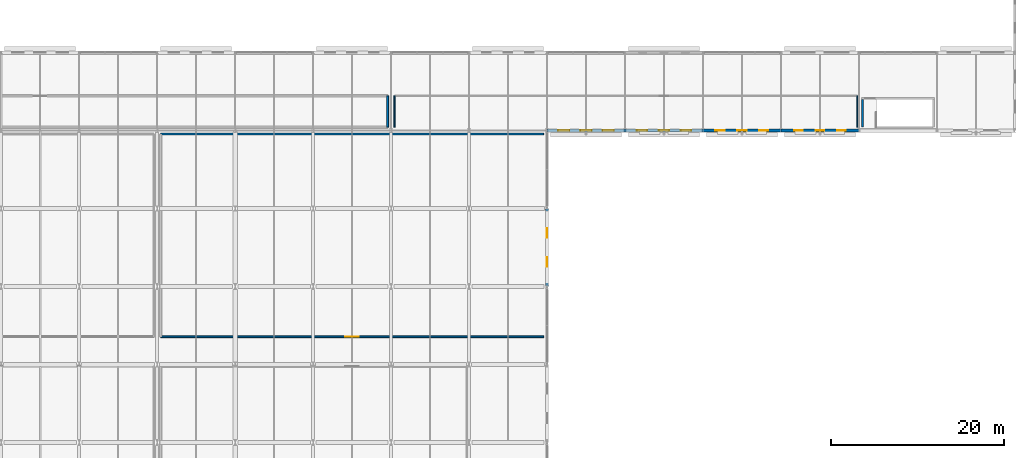
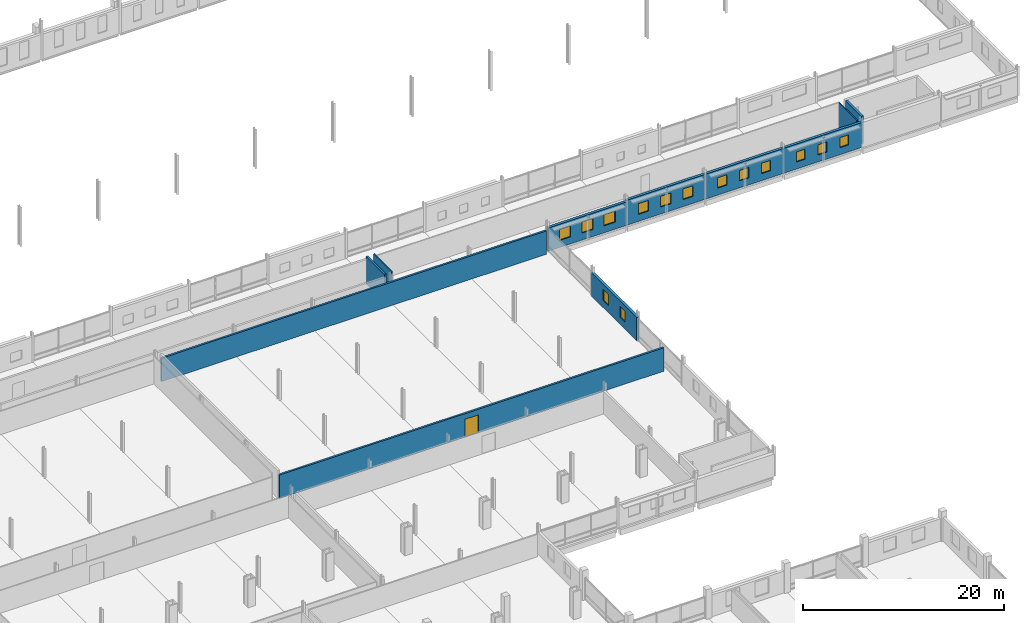
# One storey, part 108 of 132: 14 windows, 11 walls, 1 door, 15 openings.
"""IFC4 building model written with IfcOpenShell, lengths in metres."""

import ifcopenshell
import ifcopenshell.guid

model = None  # the IFC model being written
_history = None  # IfcOwnerHistory: only IFC2X3 demands one
_inside = {}  # id of a spatial element -> (the spatial element, [elements in it])
_under = {}  # id of a project, library or spatial element -> (it, [spatial elements below it])
_declared = {}  # id of a project -> (the project, [libraries it declares])
_typed = {}  # id of a type object -> (the type object, [elements of that type])
_made_of = {}  # id of a material, layer set ... -> (it, [elements and type objects made of it])


def new_model(schema):
    """Start an empty IFC model of exactly this schema.

    Asked for "IFC4X3", IfcOpenShell would pick the latest addendum, in which some entities
    have other attributes; the version numbers below select the first issue.
    IFC2X3 requires an IfcOwnerHistory on every rooted entity: one is made here for all.
    """
    global model, _history
    if schema == "IFC4X3":
        model = ifcopenshell.file(schema_version=(4, 3, 0, 0))
    else:
        model = ifcopenshell.file(schema=schema)
    _inside.clear()
    _under.clear()
    _declared.clear()
    _typed.clear()
    _made_of.clear()
    _history = None
    if model.schema == "IFC2X3":
        org = make("IfcOrganization", Name="unknown")
        user = make(
            "IfcPersonAndOrganization",
            ThePerson=make("IfcPerson", FamilyName="unknown"),
            TheOrganization=org,
        )
        app = make(
            "IfcApplication",
            ApplicationDeveloper=org,
            Version="unknown",
            ApplicationFullName="unknown",
            ApplicationIdentifier="unknown",
        )
        _history = make(
            "IfcOwnerHistory",
            OwningUser=user,
            OwningApplication=app,
            ChangeAction="ADDED",
            CreationDate=0,
        )
    return model


def make(cls, **values):
    """One entity of the class cls with the attributes given. An attribute that is None is left unset."""
    return model.create_entity(
        cls, **{name: value for name, value in values.items() if value is not None}
    )


def rooted(cls, **values):
    """An entity with a GlobalId (a new one), such as an element, a storey or a relation."""
    return make(cls, GlobalId=ifcopenshell.guid.new(), OwnerHistory=_history, **values)


def si_unit(unit_type, name, prefix=None):
    """IfcSIUnit, for example si_unit("LENGTHUNIT", "METRE", prefix="MILLI")."""
    return make("IfcSIUnit", UnitType=unit_type, Prefix=prefix, Name=name)


def assignment(units):
    """IfcUnitAssignment: the units of a project."""
    return None if units is None else make("IfcUnitAssignment", Units=units)


def point(xyz):
    """IfcCartesianPoint."""
    return None if xyz is None else make("IfcCartesianPoint", Coordinates=xyz)


def direction(xyz):
    """IfcDirection."""
    return None if xyz is None else make("IfcDirection", DirectionRatios=xyz)


def frame(location, z_axis=None, x_axis=None):
    """IfcAxis2Placement3D, a coordinate frame: its origin and axes. An axis left out is left unset."""
    return make(
        "IfcAxis2Placement3D",
        Location=point(location),
        Axis=direction(z_axis),
        RefDirection=direction(x_axis),
    )


def frame_2d(location, x_axis=None):
    """IfcAxis2Placement2D, a coordinate frame in the plane: its origin and x axis."""
    return make(
        "IfcAxis2Placement2D", Location=point(location), RefDirection=direction(x_axis)
    )


def origin():
    """The frame at (0, 0, 0) with its axes left unset."""
    return frame((0.0, 0.0, 0.0))


def place(relative_to, where):
    """IfcLocalPlacement: puts the frame where relative to a parent placement (None: the world)."""
    return make(
        "IfcLocalPlacement", PlacementRelTo=relative_to, RelativePlacement=where
    )


def context(
    kind, dimensions, precision=None, world=None, true_north=None, identifier=None
):
    """IfcGeometricRepresentationContext, for example the 3D "Model" context."""
    return make(
        "IfcGeometricRepresentationContext",
        ContextIdentifier=identifier,
        ContextType=kind,
        CoordinateSpaceDimension=dimensions,
        Precision=precision,
        WorldCoordinateSystem=world,
        TrueNorth=true_north,
    )


def subcontext(parent, identifier, kind, view, scale=None):
    """IfcGeometricRepresentationSubContext, for example "Body" below "Model"."""
    return make(
        "IfcGeometricRepresentationSubContext",
        ContextIdentifier=identifier,
        ContextType=kind,
        ParentContext=parent,
        TargetScale=scale,
        TargetView=view,
    )


def project(units=None, contexts=None):
    """IfcProject with its units and contexts."""
    return rooted(
        "IfcProject",
        Name="project",
        RepresentationContexts=contexts,
        UnitsInContext=assignment(units),
    )


def spatial(cls, under=None, at=None, **own):
    """A site, building, storey or space (cls), placed at a placement, below another one or the project."""
    s = rooted(cls, ObjectPlacement=at, **own)
    if under is not None:
        _under.setdefault(under.id(), (under, []))[1].append(s)
    return s


def profile(cls, at=None, kind="AREA", **sizes):
    """A parametric profile (cls). Its sizes go by their IFC names, for example OverallWidth=200.0."""
    return make(cls, ProfileType=kind, Position=at, **sizes)


def rectangle(**sizes):
    """IfcRectangleProfileDef."""
    return profile("IfcRectangleProfileDef", **sizes)


def extrude(swept, where, along, depth):
    """IfcExtrudedAreaSolid: the profile swept, set in the frame where, extruded along a direction by depth."""
    return make(
        "IfcExtrudedAreaSolid",
        SweptArea=swept,
        Position=where,
        ExtrudedDirection=direction(along),
        Depth=depth,
    )


def shape(context_of_items, identifier, shape_type, items):
    """IfcShapeRepresentation: the items that make up one representation, for example the "Body"."""
    return make(
        "IfcShapeRepresentation",
        ContextOfItems=context_of_items,
        RepresentationIdentifier=identifier,
        RepresentationType=shape_type,
        Items=items,
    )


def material(Name=None, Category=None):
    """IfcMaterial."""
    return make("IfcMaterial", Name=Name, Category=Category)


def layer(
    of_material, thickness, ventilated=None, Name=None, Category=None, Priority=None
):
    """IfcMaterialLayer: one layer of a wall or slab, of a material (None: an air gap)."""
    return make(
        "IfcMaterialLayer",
        Material=of_material,
        LayerThickness=thickness,
        IsVentilated=ventilated,
        Name=Name,
        Category=Category,
        Priority=Priority,
    )


def layer_set(layers, Name=None):
    """IfcMaterialLayerSet."""
    return make("IfcMaterialLayerSet", MaterialLayers=layers, LayerSetName=Name)


def made_of(thing, what):
    """Note that an element or type object is made of a material, layer set ...; save() writes the relation."""
    if what is not None:
        _made_of.setdefault(what.id(), (what, []))[1].append(thing)
    return thing


def type_object(cls, material=None, **own):
    """A type object (cls), such as IfcWallType, which elements share."""
    return made_of(rooted(cls, **own), material)


def element(
    cls,
    number,
    at=None,
    inside=None,
    cuts=None,
    type_object=None,
    material=None,
    context=None,
    identifier="Body",
    shape_type=None,
    held_by="IfcProductDefinitionShape",
    body=None,
    shapes=None,
    **own,
):
    """One element of the class cls, such as IfcWall. Its Tag is "e" and its number.

    at: its placement. inside: the storey or other place that contains it. cuts: it is an
    opening in that element (IfcRelVoidsElement). A single representation is given by context,
    identifier, shape_type and body (its items); several are given by shapes. held_by: the class
    of the entity that holds the representations. save() writes the other relations.
    """
    e = rooted(cls, Tag="e%d" % number, ObjectPlacement=at, **own)
    if body is not None:
        shapes = [shape(context, identifier, shape_type, body)]
    if shapes is not None:
        e.Representation = make(held_by, Representations=shapes)
    if inside is not None:
        _inside.setdefault(inside.id(), (inside, []))[1].append(e)
    if cuts is not None:
        rooted(
            "IfcRelVoidsElement", RelatingBuildingElement=cuts, RelatedOpeningElement=e
        )
    if type_object is not None:
        _typed.setdefault(type_object.id(), (type_object, []))[1].append(e)
    return made_of(e, material)


def fill(opening, filler):
    """IfcRelFillsElement: the door or window that sits in an opening."""
    return rooted(
        "IfcRelFillsElement",
        RelatingOpeningElement=opening,
        RelatedBuildingElement=filler,
    )


def aggregate(whole, parts):
    """IfcRelAggregates: a whole, such as a stair, and the parts it consists of."""
    return rooted("IfcRelAggregates", RelatingObject=whole, RelatedObjects=parts)


def save(model, path):
    """Write the relations noted so far, then the file.

    IfcRelAggregates (storeys below a building ...), IfcRelContainedInSpatialStructure (elements
    in a storey), IfcRelDefinesByType, IfcRelAssociatesMaterial and IfcRelDeclares: one each for
    every whole, place, type object, material and project.
    """
    for whole, parts in _under.values():
        aggregate(whole, parts)
    for where, things in _inside.values():
        rooted(
            "IfcRelContainedInSpatialStructure",
            RelatedElements=things,
            RelatingStructure=where,
        )
    for kind, things in _typed.values():
        rooted("IfcRelDefinesByType", RelatedObjects=things, RelatingType=kind)
    for what, things in _made_of.values():
        rooted("IfcRelAssociatesMaterial", RelatedObjects=things, RelatingMaterial=what)
    for by, libraries in _declared.values():
        rooted("IfcRelDeclares", RelatingContext=by, RelatedDefinitions=libraries)
    model.write(path)


model = new_model("IFC4")

# Units and contexts
model_context = context("Model", 3, precision=1e-05, world=origin(), true_north=direction((0.0, 1.0)))
body_context = subcontext(model_context, "Body", "Model", "MODEL_VIEW")
ifc_project = project(units=[si_unit("LENGTHUNIT", "METRE"), si_unit("AREAUNIT", "SQUARE_METRE"), si_unit("VOLUMEUNIT", "CUBIC_METRE"), si_unit("PLANEANGLEUNIT", "RADIAN"), si_unit("MASSUNIT", "GRAM", prefix="KILO")], contexts=[model_context])

# Site, building, storey
site_placement = place(None, origin())
site = spatial("IfcSite", under=ifc_project, at=site_placement, CompositionType="ELEMENT")
building_placement = place(site_placement, origin())
building = spatial("IfcBuilding", under=site, at=building_placement, Name="Tharagai Park Tramway Depot", CompositionType="ELEMENT")
storey_placement = place(building_placement, frame((0.0, 0.0, 4.800048828125)))
storey = spatial("IfcBuildingStorey", under=building, at=storey_placement, Name="L01", CompositionType="ELEMENT", Elevation=4.800048828125)

# Wall, openings, windows
ifc_material_1 = material(Name="Pressed clay brick", Category="masonry")
ifc_layer_1 = layer(ifc_material_1, 0.300048828125)
ifc_layer_set_1 = layer_set([ifc_layer_1], Name="Pressed clay brick")
wall_type_1 = type_object("IfcWallType", Name="EW-08", PredefinedType="SOLIDWALL", material=ifc_layer_set_1)
wall_1_placement = place(storey_placement, frame((90.00390625, 90.0, 0.0), z_axis=(0.0, 0.0, 1.0), x_axis=(1.0, 0.0, 0.0)))
wall_1 = element("IfcWall", 1, at=wall_1_placement, inside=storey, type_object=wall_type_1, Name="L01 V1 Exterior Masonry Wall EW-08", PredefinedType="SOLIDWALL", context=body_context, shape_type="SweptSolid", body=[
    extrude(rectangle(XDim=8.9921875, YDim=0.300048828125, at=frame_2d((4.49609375, 0.0))), origin(), (0.0, 0.0, 1.0), 2.842041015625),
])
opening_1_placement = place(wall_1_placement, frame((1.2880859375, 0.0, 0.85009765625)))
opening_1 = element("IfcOpeningElement", 2, at=opening_1_placement, cuts=wall_1, Name="Opening WN-43", PredefinedType="OPENING", context=body_context, shape_type="SweptSolid", body=[
    extrude(rectangle(XDim=1.280029296875, YDim=1.340087890625, at=frame_2d((0.64013671875, 0.669921875))), frame((0.0, 0.159912109375, 0.0), z_axis=(0.0, -1.0, 0.0), x_axis=(1.0, 0.0, 0.0)), (0.0, 0.0, 1.0), 0.320068359375),
])
opening_2_placement = place(wall_1_placement, frame((3.85595703125, 0.0, 0.85009765625)))
opening_2 = element("IfcOpeningElement", 3, at=opening_2_placement, cuts=wall_1, Name="Opening WN-43", PredefinedType="OPENING", context=body_context, shape_type="SweptSolid", body=[
    extrude(rectangle(XDim=1.280029296875, YDim=1.340087890625, at=frame_2d((0.64013671875, 0.669921875))), frame((0.0, 0.159912109375, 0.0), z_axis=(0.0, -1.0, 0.0), x_axis=(1.0, 0.0, 0.0)), (0.0, 0.0, 1.0), 0.320068359375),
])
opening_3_placement = place(wall_1_placement, frame((6.424072265625, 0.0, 0.85009765625)))
opening_3 = element("IfcOpeningElement", 4, at=opening_3_placement, cuts=wall_1, Name="Opening WN-43", PredefinedType="OPENING", context=body_context, shape_type="SweptSolid", body=[
    extrude(rectangle(XDim=1.280029296875, YDim=1.340087890625, at=frame_2d((0.64013671875, 0.669921875))), frame((0.0, 0.159912109375, 0.0), z_axis=(0.0, -1.0, 0.0), x_axis=(1.0, 0.0, 0.0)), (0.0, 0.0, 1.0), 0.320068359375),
])
ifc_material_2 = material(Name="Laminated solar-control glass", Category="glass")
window_type_1 = type_object("IfcWindowType", Name="WN-43", PartitioningType="SINGLE_PANEL", PredefinedType="WINDOW", material=ifc_material_2)
window_1_placement = place(opening_1_placement, origin())
window_1 = element("IfcWindow", 5, at=window_1_placement, inside=storey, type_object=window_type_1, Name="L01 V1 Gothic Lancet Window WN-43", OverallHeight=1.340087890625, OverallWidth=1.280029296875, PartitioningType="SINGLE_PANEL", PredefinedType="WINDOW", context=body_context, shape_type="SweptSolid", body=[
    extrude(rectangle(XDim=1.280029296875, YDim=1.340087890625, at=frame_2d((0.64013671875, 0.669921875))), frame((0.0, 0.030029296875, 0.0), z_axis=(0.0, -1.0, 0.0), x_axis=(1.0, 0.0, 0.0)), (0.0, 0.0, 1.0), 0.06005859375),
])
fill(opening_1, window_1)
window_2_placement = place(opening_2_placement, origin())
window_2 = element("IfcWindow", 6, at=window_2_placement, inside=storey, type_object=window_type_1, Name="L01 V1 Gothic Lancet Window WN-43", OverallHeight=1.340087890625, OverallWidth=1.280029296875, PartitioningType="SINGLE_PANEL", PredefinedType="WINDOW", context=body_context, shape_type="SweptSolid", body=[
    extrude(rectangle(XDim=1.280029296875, YDim=1.340087890625, at=frame_2d((0.64013671875, 0.669921875))), frame((0.0, 0.030029296875, 0.0), z_axis=(0.0, -1.0, 0.0), x_axis=(1.0, 0.0, 0.0)), (0.0, 0.0, 1.0), 0.06005859375),
])
fill(opening_2, window_2)
window_3_placement = place(opening_3_placement, origin())
window_3 = element("IfcWindow", 7, at=window_3_placement, inside=storey, type_object=window_type_1, Name="L01 V1 Gothic Lancet Window WN-43", OverallHeight=1.340087890625, OverallWidth=1.280029296875, PartitioningType="SINGLE_PANEL", PredefinedType="WINDOW", context=body_context, shape_type="SweptSolid", body=[
    extrude(rectangle(XDim=1.280029296875, YDim=1.340087890625, at=frame_2d((0.64013671875, 0.669921875))), frame((0.0, 0.030029296875, 0.0), z_axis=(0.0, -1.0, 0.0), x_axis=(1.0, 0.0, 0.0)), (0.0, 0.0, 1.0), 0.06005859375),
])
fill(opening_3, window_3)

wall_2_placement = place(storey_placement, frame((99.00390625, 90.0, 0.0), z_axis=(0.0, 0.0, 1.0), x_axis=(1.0, 0.0, 0.0)))
wall_2 = element("IfcWall", 8, at=wall_2_placement, inside=storey, type_object=wall_type_1, Name="L01 V1 Exterior Masonry Wall EW-08", PredefinedType="SOLIDWALL", context=body_context, shape_type="SweptSolid", body=[
    extrude(rectangle(XDim=8.9921875, YDim=0.300048828125, at=frame_2d((4.49609375, 0.0))), origin(), (0.0, 0.0, 1.0), 3.0419921875),
])
opening_4_placement = place(wall_2_placement, frame((1.363037109375, 0.0, 0.85009765625)))
opening_4 = element("IfcOpeningElement", 9, at=opening_4_placement, cuts=wall_2, Name="Opening WN-44", PredefinedType="OPENING", context=body_context, shape_type="SweptSolid", body=[
    extrude(rectangle(XDim=1.179931640625, YDim=1.300048828125, at=frame_2d((0.58984375, 0.64990234375))), frame((0.0, 0.159912109375, 0.0), z_axis=(0.0, -1.0, 0.0), x_axis=(1.0, 0.0, 0.0)), (0.0, 0.0, 1.0), 0.320068359375),
])
opening_5_placement = place(wall_2_placement, frame((3.906005859375, 0.0, 0.85009765625)))
opening_5 = element("IfcOpeningElement", 10, at=opening_5_placement, cuts=wall_2, Name="Opening WN-44", PredefinedType="OPENING", context=body_context, shape_type="SweptSolid", body=[
    extrude(rectangle(XDim=1.179931640625, YDim=1.300048828125, at=frame_2d((0.58984375, 0.64990234375))), frame((0.0, 0.159912109375, 0.0), z_axis=(0.0, -1.0, 0.0), x_axis=(1.0, 0.0, 0.0)), (0.0, 0.0, 1.0), 0.320068359375),
])
opening_6_placement = place(wall_2_placement, frame((6.448974609375, 0.0, 0.85009765625)))
opening_6 = element("IfcOpeningElement", 11, at=opening_6_placement, cuts=wall_2, Name="Opening WN-44", PredefinedType="OPENING", context=body_context, shape_type="SweptSolid", body=[
    extrude(rectangle(XDim=1.179931640625, YDim=1.300048828125, at=frame_2d((0.58984375, 0.64990234375))), frame((0.0, 0.159912109375, 0.0), z_axis=(0.0, -1.0, 0.0), x_axis=(1.0, 0.0, 0.0)), (0.0, 0.0, 1.0), 0.320068359375),
])
window_type_2 = type_object("IfcWindowType", Name="WN-44", PartitioningType="SINGLE_PANEL", PredefinedType="WINDOW", material=ifc_material_2)
window_4_placement = place(opening_4_placement, origin())
window_4 = element("IfcWindow", 12, at=window_4_placement, inside=storey, type_object=window_type_2, Name="L01 V1 Gothic Lancet Window WN-44", OverallHeight=1.300048828125, OverallWidth=1.179931640625, PartitioningType="SINGLE_PANEL", PredefinedType="WINDOW", context=body_context, shape_type="SweptSolid", body=[
    extrude(rectangle(XDim=1.179931640625, YDim=1.300048828125, at=frame_2d((0.58984375, 0.64990234375))), frame((0.0, 0.030029296875, 0.0), z_axis=(0.0, -1.0, 0.0), x_axis=(1.0, 0.0, 0.0)), (0.0, 0.0, 1.0), 0.06005859375),
])
fill(opening_4, window_4)
window_5_placement = place(opening_5_placement, origin())
window_5 = element("IfcWindow", 13, at=window_5_placement, inside=storey, type_object=window_type_2, Name="L01 V1 Gothic Lancet Window WN-44", OverallHeight=1.300048828125, OverallWidth=1.179931640625, PartitioningType="SINGLE_PANEL", PredefinedType="WINDOW", context=body_context, shape_type="SweptSolid", body=[
    extrude(rectangle(XDim=1.179931640625, YDim=1.300048828125, at=frame_2d((0.58984375, 0.64990234375))), frame((0.0, 0.030029296875, 0.0), z_axis=(0.0, -1.0, 0.0), x_axis=(1.0, 0.0, 0.0)), (0.0, 0.0, 1.0), 0.06005859375),
])
fill(opening_5, window_5)
window_6_placement = place(opening_6_placement, origin())
window_6 = element("IfcWindow", 14, at=window_6_placement, inside=storey, type_object=window_type_2, Name="L01 V1 Gothic Lancet Window WN-44", OverallHeight=1.300048828125, OverallWidth=1.179931640625, PartitioningType="SINGLE_PANEL", PredefinedType="WINDOW", context=body_context, shape_type="SweptSolid", body=[
    extrude(rectangle(XDim=1.179931640625, YDim=1.300048828125, at=frame_2d((0.58984375, 0.64990234375))), frame((0.0, 0.030029296875, 0.0), z_axis=(0.0, -1.0, 0.0), x_axis=(1.0, 0.0, 0.0)), (0.0, 0.0, 1.0), 0.06005859375),
])
fill(opening_6, window_6)

wall_3_placement = place(storey_placement, frame((108.00390625, 90.0, 0.0), z_axis=(0.0, 0.0, 1.0), x_axis=(1.0, 0.0, 0.0)))
wall_3 = element("IfcWall", 15, at=wall_3_placement, inside=storey, type_object=wall_type_1, Name="L01 V1 Exterior Masonry Wall EW-08", PredefinedType="SOLIDWALL", context=body_context, shape_type="SweptSolid", body=[
    extrude(rectangle(XDim=8.9921875, YDim=0.300048828125, at=frame_2d((4.49609375, 0.0))), origin(), (0.0, 0.0, 1.0), 3.0419921875),
])
opening_7_placement = place(wall_3_placement, frame((1.43798828125, 0.0, 0.85009765625)))
opening_7 = element("IfcOpeningElement", 16, at=opening_7_placement, cuts=wall_3, Name="Opening WN-48", PredefinedType="OPENING", context=body_context, shape_type="SweptSolid", body=[
    extrude(rectangle(XDim=1.080078125, YDim=1.260009765625, at=frame_2d((0.5400390625, 0.6298828125))), frame((0.0, 0.159912109375, 0.0), z_axis=(0.0, -1.0, 0.0), x_axis=(1.0, 0.0, 0.0)), (0.0, 0.0, 1.0), 0.320068359375),
])
opening_8_placement = place(wall_3_placement, frame((3.9560546875, 0.0, 0.85009765625)))
opening_8 = element("IfcOpeningElement", 17, at=opening_8_placement, cuts=wall_3, Name="Opening WN-48", PredefinedType="OPENING", context=body_context, shape_type="SweptSolid", body=[
    extrude(rectangle(XDim=1.080078125, YDim=1.260009765625, at=frame_2d((0.5400390625, 0.6298828125))), frame((0.0, 0.159912109375, 0.0), z_axis=(0.0, -1.0, 0.0), x_axis=(1.0, 0.0, 0.0)), (0.0, 0.0, 1.0), 0.320068359375),
])
opening_9_placement = place(wall_3_placement, frame((6.47412109375, 0.0, 0.85009765625)))
opening_9 = element("IfcOpeningElement", 18, at=opening_9_placement, cuts=wall_3, Name="Opening WN-48", PredefinedType="OPENING", context=body_context, shape_type="SweptSolid", body=[
    extrude(rectangle(XDim=1.080078125, YDim=1.260009765625, at=frame_2d((0.5400390625, 0.6298828125))), frame((0.0, 0.159912109375, 0.0), z_axis=(0.0, -1.0, 0.0), x_axis=(1.0, 0.0, 0.0)), (0.0, 0.0, 1.0), 0.320068359375),
])
window_type_3 = type_object("IfcWindowType", Name="WN-48", PartitioningType="SINGLE_PANEL", PredefinedType="WINDOW", material=ifc_material_2)
window_7_placement = place(opening_7_placement, origin())
window_7 = element("IfcWindow", 19, at=window_7_placement, inside=storey, type_object=window_type_3, Name="L01 V1 Gothic Lancet Window WN-48", OverallHeight=1.260009765625, OverallWidth=1.080078125, PartitioningType="SINGLE_PANEL", PredefinedType="WINDOW", context=body_context, shape_type="SweptSolid", body=[
    extrude(rectangle(XDim=1.080078125, YDim=1.260009765625, at=frame_2d((0.5400390625, 0.6298828125))), frame((0.0, 0.030029296875, 0.0), z_axis=(0.0, -1.0, 0.0), x_axis=(1.0, 0.0, 0.0)), (0.0, 0.0, 1.0), 0.06005859375),
])
fill(opening_7, window_7)
window_8_placement = place(opening_8_placement, origin())
window_8 = element("IfcWindow", 20, at=window_8_placement, inside=storey, type_object=window_type_3, Name="L01 V1 Gothic Lancet Window WN-48", OverallHeight=1.260009765625, OverallWidth=1.080078125, PartitioningType="SINGLE_PANEL", PredefinedType="WINDOW", context=body_context, shape_type="SweptSolid", body=[
    extrude(rectangle(XDim=1.080078125, YDim=1.260009765625, at=frame_2d((0.5400390625, 0.6298828125))), frame((0.0, 0.030029296875, 0.0), z_axis=(0.0, -1.0, 0.0), x_axis=(1.0, 0.0, 0.0)), (0.0, 0.0, 1.0), 0.06005859375),
])
fill(opening_8, window_8)
window_9_placement = place(opening_9_placement, origin())
window_9 = element("IfcWindow", 21, at=window_9_placement, inside=storey, type_object=window_type_3, Name="L01 V1 Gothic Lancet Window WN-48", OverallHeight=1.260009765625, OverallWidth=1.080078125, PartitioningType="SINGLE_PANEL", PredefinedType="WINDOW", context=body_context, shape_type="SweptSolid", body=[
    extrude(rectangle(XDim=1.080078125, YDim=1.260009765625, at=frame_2d((0.5400390625, 0.6298828125))), frame((0.0, 0.030029296875, 0.0), z_axis=(0.0, -1.0, 0.0), x_axis=(1.0, 0.0, 0.0)), (0.0, 0.0, 1.0), 0.06005859375),
])
fill(opening_9, window_9)

wall_4_placement = place(storey_placement, frame((117.00390625, 90.0, 0.0), z_axis=(0.0, 0.0, 1.0), x_axis=(1.0, 0.0, 0.0)))
wall_4 = element("IfcWall", 22, at=wall_4_placement, inside=storey, type_object=wall_type_1, Name="L01 V1 Exterior Masonry Wall EW-08", PredefinedType="SOLIDWALL", context=body_context, shape_type="SweptSolid", body=[
    extrude(rectangle(XDim=8.9921875, YDim=0.300048828125, at=frame_2d((4.49609375, 0.0))), origin(), (0.0, 0.0, 1.0), 3.0419921875),
])
opening_10_placement = place(wall_4_placement, frame((1.512939453125, 0.0, 0.85009765625)))
opening_10 = element("IfcOpeningElement", 23, at=opening_10_placement, cuts=wall_4, Name="Opening WN-01", PredefinedType="OPENING", context=body_context, shape_type="SweptSolid", body=[
    extrude(rectangle(XDim=0.97998046875, YDim=1.219970703125, at=frame_2d((0.489990234375, 0.60986328125))), frame((0.0, 0.159912109375, 0.0), z_axis=(0.0, -1.0, 0.0), x_axis=(1.0, 0.0, 0.0)), (0.0, 0.0, 1.0), 0.320068359375),
])
opening_11_placement = place(wall_4_placement, frame((4.006103515625, 0.0, 0.85009765625)))
opening_11 = element("IfcOpeningElement", 24, at=opening_11_placement, cuts=wall_4, Name="Opening WN-01", PredefinedType="OPENING", context=body_context, shape_type="SweptSolid", body=[
    extrude(rectangle(XDim=0.97998046875, YDim=1.219970703125, at=frame_2d((0.489990234375, 0.60986328125))), frame((0.0, 0.159912109375, 0.0), z_axis=(0.0, -1.0, 0.0), x_axis=(1.0, 0.0, 0.0)), (0.0, 0.0, 1.0), 0.320068359375),
])
opening_12_placement = place(wall_4_placement, frame((6.4990234375, 0.0, 0.85009765625)))
opening_12 = element("IfcOpeningElement", 25, at=opening_12_placement, cuts=wall_4, Name="Opening WN-01", PredefinedType="OPENING", context=body_context, shape_type="SweptSolid", body=[
    extrude(rectangle(XDim=0.97998046875, YDim=1.219970703125, at=frame_2d((0.489990234375, 0.60986328125))), frame((0.0, 0.159912109375, 0.0), z_axis=(0.0, -1.0, 0.0), x_axis=(1.0, 0.0, 0.0)), (0.0, 0.0, 1.0), 0.320068359375),
])
window_type_4 = type_object("IfcWindowType", Name="WN-01", PartitioningType="SINGLE_PANEL", PredefinedType="WINDOW", material=ifc_material_2)
window_10_placement = place(opening_10_placement, origin())
window_10 = element("IfcWindow", 26, at=window_10_placement, inside=storey, type_object=window_type_4, Name="L01 V1 Gothic Lancet Window WN-01", OverallHeight=1.219970703125, OverallWidth=0.97998046875, PartitioningType="SINGLE_PANEL", PredefinedType="WINDOW", context=body_context, shape_type="SweptSolid", body=[
    extrude(rectangle(XDim=0.97998046875, YDim=1.219970703125, at=frame_2d((0.489990234375, 0.60986328125))), frame((0.0, 0.030029296875, 0.0), z_axis=(0.0, -1.0, 0.0), x_axis=(1.0, 0.0, 0.0)), (0.0, 0.0, 1.0), 0.06005859375),
])
fill(opening_10, window_10)
window_11_placement = place(opening_11_placement, origin())
window_11 = element("IfcWindow", 27, at=window_11_placement, inside=storey, type_object=window_type_4, Name="L01 V1 Gothic Lancet Window WN-01", OverallHeight=1.219970703125, OverallWidth=0.97998046875, PartitioningType="SINGLE_PANEL", PredefinedType="WINDOW", context=body_context, shape_type="SweptSolid", body=[
    extrude(rectangle(XDim=0.97998046875, YDim=1.219970703125, at=frame_2d((0.489990234375, 0.60986328125))), frame((0.0, 0.030029296875, 0.0), z_axis=(0.0, -1.0, 0.0), x_axis=(1.0, 0.0, 0.0)), (0.0, 0.0, 1.0), 0.06005859375),
])
fill(opening_11, window_11)
window_12_placement = place(opening_12_placement, origin())
window_12 = element("IfcWindow", 28, at=window_12_placement, inside=storey, type_object=window_type_4, Name="L01 V1 Gothic Lancet Window WN-01", OverallHeight=1.219970703125, OverallWidth=0.97998046875, PartitioningType="SINGLE_PANEL", PredefinedType="WINDOW", context=body_context, shape_type="SweptSolid", body=[
    extrude(rectangle(XDim=0.97998046875, YDim=1.219970703125, at=frame_2d((0.489990234375, 0.60986328125))), frame((0.0, 0.030029296875, 0.0), z_axis=(0.0, -1.0, 0.0), x_axis=(1.0, 0.0, 0.0)), (0.0, 0.0, 1.0), 0.06005859375),
])
fill(opening_12, window_12)

wall_5_placement = place(storey_placement, frame((90.0, 72.00390625, 0.0), z_axis=(0.0, 0.0, 1.0), x_axis=(0.0, 1.0, 0.0)))
wall_5 = element("IfcWall", 29, at=wall_5_placement, inside=storey, type_object=wall_type_1, Name="L01 V2 Exterior Masonry Wall EW-08", PredefinedType="SOLIDWALL", context=body_context, shape_type="SweptSolid", body=[
    extrude(rectangle(XDim=8.9921875, YDim=0.300048828125, at=frame_2d((4.49609375, 0.0))), origin(), (0.0, 0.0, 1.0), 2.842041015625),
])
opening_13_placement = place(wall_5_placement, frame((2.291015625, 0.0, 0.85009765625)))
opening_13 = element("IfcOpeningElement", 30, at=opening_13_placement, cuts=wall_5, Name="Opening WN-54", PredefinedType="OPENING", context=body_context, shape_type="SweptSolid", body=[
    extrude(rectangle(XDim=1.06005859375, YDim=1.35009765625, at=frame_2d((0.530029296875, 0.675048828125))), frame((0.0, 0.159912109375, 0.0), z_axis=(0.0, -1.0, 0.0), x_axis=(1.0, 0.0, 0.0)), (0.0, 0.0, 1.0), 0.320068359375),
])
opening_14_placement = place(wall_5_placement, frame((5.64111328125, 0.0, 0.85009765625)))
opening_14 = element("IfcOpeningElement", 31, at=opening_14_placement, cuts=wall_5, Name="Opening WN-54", PredefinedType="OPENING", context=body_context, shape_type="SweptSolid", body=[
    extrude(rectangle(XDim=1.06005859375, YDim=1.35009765625, at=frame_2d((0.530029296875, 0.675048828125))), frame((0.0, 0.159912109375, 0.0), z_axis=(0.0, -1.0, 0.0), x_axis=(1.0, 0.0, 0.0)), (0.0, 0.0, 1.0), 0.320068359375),
])
window_type_5 = type_object("IfcWindowType", Name="WN-54", PartitioningType="SINGLE_PANEL", PredefinedType="WINDOW", material=ifc_material_2)
window_13_placement = place(opening_13_placement, origin())
window_13 = element("IfcWindow", 32, at=window_13_placement, inside=storey, type_object=window_type_5, Name="L01 V2 Side Lancet Window WN-54", OverallHeight=1.35009765625, OverallWidth=1.06005859375, PartitioningType="SINGLE_PANEL", PredefinedType="WINDOW", context=body_context, shape_type="SweptSolid", body=[
    extrude(rectangle(XDim=1.06005859375, YDim=1.35009765625, at=frame_2d((0.530029296875, 0.675048828125))), frame((0.0, 0.030029296875, 0.0), z_axis=(0.0, -1.0, 0.0), x_axis=(1.0, 0.0, 0.0)), (0.0, 0.0, 1.0), 0.06005859375),
])
fill(opening_13, window_13)
window_14_placement = place(opening_14_placement, origin())
window_14 = element("IfcWindow", 33, at=window_14_placement, inside=storey, type_object=window_type_5, Name="L01 V2 Side Lancet Window WN-54", OverallHeight=1.35009765625, OverallWidth=1.06005859375, PartitioningType="SINGLE_PANEL", PredefinedType="WINDOW", context=body_context, shape_type="SweptSolid", body=[
    extrude(rectangle(XDim=1.06005859375, YDim=1.35009765625, at=frame_2d((0.530029296875, 0.675048828125))), frame((0.0, 0.030029296875, 0.0), z_axis=(0.0, -1.0, 0.0), x_axis=(1.0, 0.0, 0.0)), (0.0, 0.0, 1.0), 0.06005859375),
])
fill(opening_14, window_14)

# Walls
ifc_material_3 = material(Name="Gypsum board", Category="gypsum")
ifc_layer_2 = layer(ifc_material_3, 0.1201171875)
ifc_layer_set_2 = layer_set([ifc_layer_2], Name="Gypsum board")
wall_type_2 = type_object("IfcWallType", Name="IW-03", PredefinedType="PARTITIONING", material=ifc_layer_set_2)
wall_6_placement = place(storey_placement, frame((72.39990234375, 90.39990234375, 0.0), z_axis=(0.0, 0.0, 1.0), x_axis=(0.0, 1.0, 0.0)))
element("IfcWall", 34, at=wall_6_placement, inside=storey, type_object=wall_type_2, Name="Overhead Catenary Monitoring Gallery East Partition West", PredefinedType="PARTITIONING", context=body_context, shape_type="SweptSolid", body=[
    extrude(rectangle(XDim=3.60009765625, YDim=0.1201171875, at=frame_2d((1.800048828125, 0.0))), origin(), (0.0, 0.0, 1.0), 3.349853515625),
])
wall_7_placement = place(storey_placement, frame((125.800048828125, 90.39990234375, 0.0), z_axis=(0.0, 0.0, 1.0), x_axis=(0.0, 1.0, 0.0)))
element("IfcWall", 35, at=wall_7_placement, inside=storey, type_object=wall_type_2, Name="Overhead Catenary Monitoring Gallery East Partition East", PredefinedType="PARTITIONING", context=body_context, shape_type="SweptSolid", body=[
    extrude(rectangle(XDim=3.60009765625, YDim=0.1201171875, at=frame_2d((1.800048828125, 0.0))), origin(), (0.0, 0.0, 1.0), 3.044921875),
])
ifc_layer_3 = layer(ifc_material_1, 0.219970703125)
ifc_layer_set_3 = layer_set([ifc_layer_3], Name="Pressed clay brick")
wall_type_3 = type_object("IfcWallType", Name="IW-05", PredefinedType="SOLIDWALL", material=ifc_layer_set_3)
wall_8_placement = place(storey_placement, frame((71.60009765625, 90.39990234375, 0.0), z_axis=(0.0, 0.0, 1.0), x_axis=(0.0, 1.0, 0.0)))
element("IfcWall", 36, at=wall_8_placement, inside=storey, type_object=wall_type_3, Name="DC Opportunity Charger Gallery West Partition East", PredefinedType="SOLIDWALL", context=body_context, shape_type="SweptSolid", body=[
    extrude(rectangle(XDim=3.60009765625, YDim=0.219970703125, at=frame_2d((1.800048828125, 0.0))), origin(), (0.0, 0.0, 1.0), 3.349853515625),
])

# Wall, opening, door
wall_9_placement = place(storey_placement, frame((45.39990234375, 66.199951171875, 0.0), z_axis=(0.0, 0.0, 1.0), x_axis=(1.0, 0.0, 0.0)))
wall_9 = element("IfcWall", 37, at=wall_9_placement, inside=storey, type_object=wall_type_3, Name="Heavy Engineering Spares Store Partition South", PredefinedType="SOLIDWALL", context=body_context, shape_type="SweptSolid", body=[
    extrude(rectangle(XDim=44.2001953125, YDim=0.219970703125, at=frame_2d((22.10009765625, 0.0))), origin(), (0.0, 0.0, 1.0), 2.844970703125),
])
opening_15_placement = place(wall_9_placement, frame((21.340087890625, 0.0, 0.0)))
opening_15 = element("IfcOpeningElement", 38, at=opening_15_placement, cuts=wall_9, Name="Opening ID-11", PredefinedType="OPENING", context=body_context, shape_type="SweptSolid", body=[
    extrude(rectangle(XDim=1.52001953125, YDim=2.159912109375, at=frame_2d((0.760009765625, 1.080078125))), frame((0.0, 0.119873046875, 0.0), z_axis=(0.0, -1.0, 0.0), x_axis=(1.0, 0.0, 0.0)), (0.0, 0.0, 1.0), 0.239990234375),
])
ifc_material_4 = material(Name="Galvanised steel", Category="steel")
door_type = type_object("IfcDoorType", Name="ID-11", OperationType="DOUBLE_SWING_LEFT", PredefinedType="DOOR", material=ifc_material_4)
door_placement = place(opening_15_placement, frame((1.52001953125, 0.0, 0.0), z_axis=(0.0, 0.0, 1.0), x_axis=(-1.0, 0.0, 0.0)))
door = element("IfcDoor", 39, at=door_placement, inside=storey, type_object=door_type, Name="Heavy Engineering Spares Store Door", OperationType="DOUBLE_SWING_LEFT", OverallHeight=2.159912109375, OverallWidth=1.52001953125, PredefinedType="DOOR", context=body_context, shape_type="SweptSolid", body=[
    extrude(rectangle(XDim=1.52001953125, YDim=2.159912109375, at=frame_2d((0.760009765625, 1.080078125))), frame((0.0, 0.02490234375, 0.0), z_axis=(0.0, -1.0, 0.0), x_axis=(1.0, 0.0, 0.0)), (0.0, 0.0, 1.0), 0.050048828125),
])
fill(opening_15, door)

# Walls
wall_10_placement = place(storey_placement, frame((45.39990234375, 89.60009765625, 0.0), z_axis=(0.0, 0.0, 1.0), x_axis=(1.0, 0.0, 0.0)))
element("IfcWall", 40, at=wall_10_placement, inside=storey, type_object=wall_type_3, Name="Heavy Engineering Spares Store Partition North", PredefinedType="SOLIDWALL", context=body_context, shape_type="SweptSolid", body=[
    extrude(rectangle(XDim=44.2001953125, YDim=0.219970703125, at=frame_2d((22.10009765625, 0.0))), origin(), (0.0, 0.0, 1.0), 2.844970703125),
])
ifc_material_5 = material(Name="Concrete M40", Category="concrete")
ifc_layer_4 = layer(ifc_material_5, 0.239990234375)
ifc_layer_set_4 = layer_set([ifc_layer_4], Name="Concrete M40")
wall_type_4 = type_object("IfcWallType", Name="SW-01", PredefinedType="SHEAR", material=ifc_layer_set_4)
wall_11_placement = place(storey_placement, frame((126.39990234375, 90.39990234375, 0.0), z_axis=(0.0, 0.0, 1.0), x_axis=(0.0, 1.0, 0.0)))
element("IfcWall", 41, at=wall_11_placement, inside=storey, type_object=wall_type_4, Name="Core C11 L01 Shear Wall West", PredefinedType="SHEAR", context=body_context, shape_type="SweptSolid", body=[
    extrude(rectangle(XDim=3.190185546875, YDim=0.239990234375, at=frame_2d((1.59521484375, 0.0))), origin(), (0.0, 0.0, 1.0), 3.349853515625),
])

save(model, "model.ifc")
